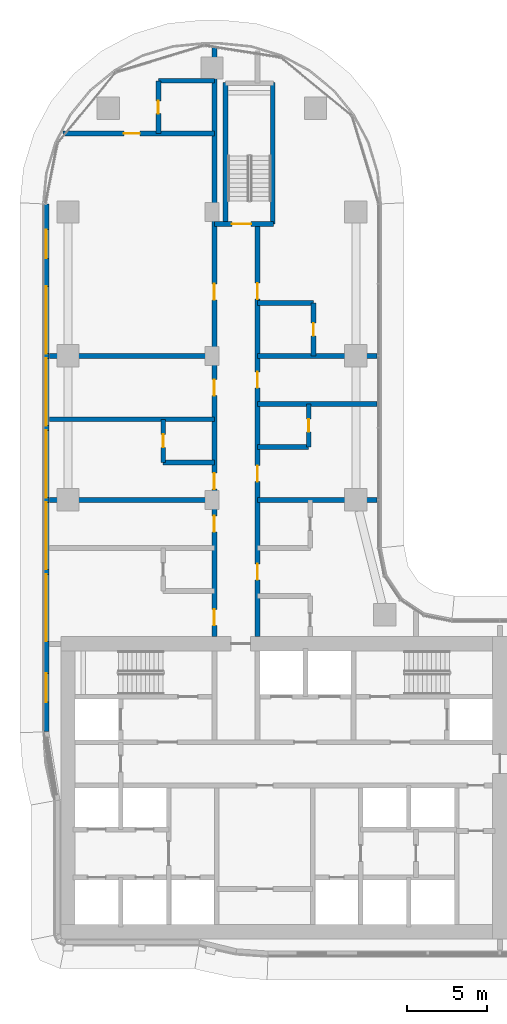
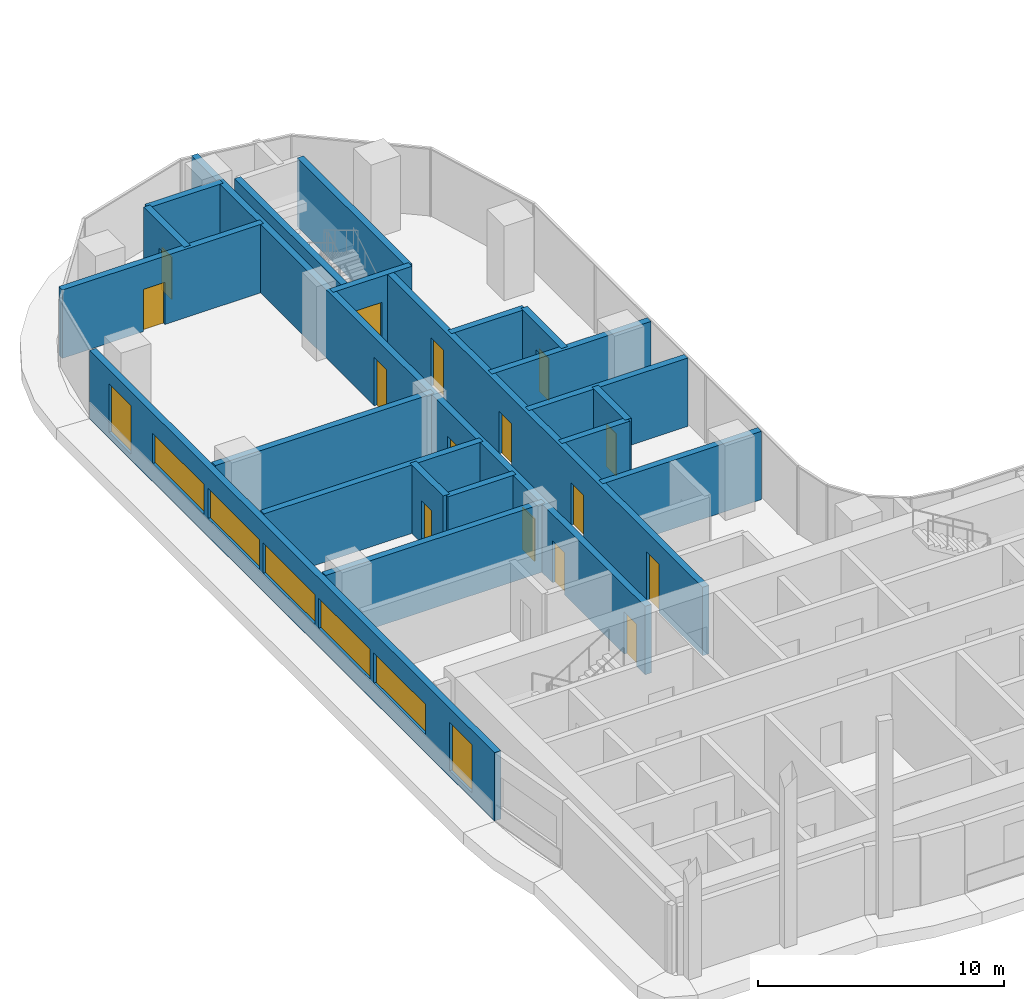
# One storey, part 20 of 36: 21 walls, 15 doors, 7 windows, 22 openings.
"""IFC4 building model written with IfcOpenShell, lengths in metres."""

from ifc_helpers import new_model, si_unit, direction, frame, frame_2d, origin, place, context, subcontext, project, spatial, rectangle, extrude, material, layer, layer_set, type_object, element, fill, save


model = new_model("IFC4")

# Units and contexts
model_context = context("Model", 3, precision=1e-05, world=origin(), true_north=direction((0.0, 1.0)))
body_context = subcontext(model_context, "Body", "Model", "MODEL_VIEW")
ifc_project = project(units=[si_unit("LENGTHUNIT", "METRE"), si_unit("AREAUNIT", "SQUARE_METRE"), si_unit("VOLUMEUNIT", "CUBIC_METRE"), si_unit("PLANEANGLEUNIT", "RADIAN"), si_unit("MASSUNIT", "GRAM", prefix="KILO")], contexts=[model_context])

# Site, building, storey
site_placement = place(None, origin())
site = spatial("IfcSite", under=ifc_project, at=site_placement, CompositionType="ELEMENT")
building_placement = place(site_placement, origin())
building = spatial("IfcBuilding", under=site, at=building_placement, Name="Ogive Portal Towers", CompositionType="ELEMENT")
storey_placement = place(building_placement, frame((0.0, 0.0, 70.5)))
storey = spatial("IfcBuildingStorey", under=building, at=storey_placement, Name="L16", CompositionType="ELEMENT", Elevation=70.5)

# Wall, openings, windows
ifc_material_1 = material(Name="Limestone cladding on lightweight block wall", Category="masonry")
ifc_layer_1 = layer(ifc_material_1, 0.300048828125)
ifc_layer_set_1 = layer_set([ifc_layer_1], Name="EXTERNAL WALL 300 STONE")
wall_type_1 = type_object("IfcWallType", Name="EXTERNAL WALL 300 STONE", PredefinedType="SOLIDWALL", material=ifc_layer_set_1)
wall_1_placement = place(storey_placement, frame((30.14990234375, 66.9921875, 0.0), z_axis=(0.0, 0.0, 1.0), x_axis=(0.0, -1.0, 0.0)))
wall_1 = element("IfcWall", 1, at=wall_1_placement, inside=storey, type_object=wall_type_1, Name="A:L16:f24:r0:wall", PredefinedType="SOLIDWALL", context=body_context, shape_type="SweptSolid", body=[
    extrude(rectangle(XDim=32.968017578125, YDim=0.300048828125, at=frame_2d((16.48388671875, 0.0))), origin(), (0.0, 0.0, 1.0), 3.39990234375),
])
opening_1_placement = place(wall_1_placement, frame((1.595947265625, 0.0, 0.300048828125)))
opening_1 = element("IfcOpeningElement", 2, at=opening_1_placement, cuts=wall_1, Name="Opening WN10", PredefinedType="OPENING", context=body_context, shape_type="SweptSolid", body=[
    extrude(rectangle(XDim=1.800048828125, YDim=2.39990234375, at=frame_2d((0.89990234375, 1.199951171875))), frame((0.0, 0.16015625, 0.0), z_axis=(0.0, -1.0, 0.0), x_axis=(1.0, 0.0, 0.0)), (0.0, 0.0, 1.0), 0.320068359375),
])
opening_2_placement = place(wall_1_placement, frame((5.14208984375, 0.0, 0.89990234375)))
opening_2 = element("IfcOpeningElement", 3, at=opening_2_placement, cuts=wall_1, Name="Opening WN11", PredefinedType="OPENING", context=body_context, shape_type="SweptSolid", body=[
    extrude(rectangle(XDim=4.199951171875, YDim=1.5, at=frame_2d((2.10009765625, 0.75))), frame((0.0, 0.16015625, 0.0), z_axis=(0.0, -1.0, 0.0), x_axis=(1.0, 0.0, 0.0)), (0.0, 0.0, 1.0), 0.320068359375),
])
opening_3_placement = place(wall_1_placement, frame((9.64208984375, 0.0, 0.89990234375)))
opening_3 = element("IfcOpeningElement", 4, at=opening_3_placement, cuts=wall_1, Name="Opening WN11", PredefinedType="OPENING", context=body_context, shape_type="SweptSolid", body=[
    extrude(rectangle(XDim=4.199951171875, YDim=1.5, at=frame_2d((2.10009765625, 0.75))), frame((0.0, 0.16015625, 0.0), z_axis=(0.0, -1.0, 0.0), x_axis=(1.0, 0.0, 0.0)), (0.0, 0.0, 1.0), 0.320068359375),
])
opening_4_placement = place(wall_1_placement, frame((14.14208984375, 0.0, 0.89990234375)))
opening_4 = element("IfcOpeningElement", 5, at=opening_4_placement, cuts=wall_1, Name="Opening WN11", PredefinedType="OPENING", context=body_context, shape_type="SweptSolid", body=[
    extrude(rectangle(XDim=4.199951171875, YDim=1.5, at=frame_2d((2.10009765625, 0.75))), frame((0.0, 0.16015625, 0.0), z_axis=(0.0, -1.0, 0.0), x_axis=(1.0, 0.0, 0.0)), (0.0, 0.0, 1.0), 0.320068359375),
])
opening_5_placement = place(wall_1_placement, frame((18.64208984375, 0.0, 0.89990234375)))
opening_5 = element("IfcOpeningElement", 6, at=opening_5_placement, cuts=wall_1, Name="Opening WN11", PredefinedType="OPENING", context=body_context, shape_type="SweptSolid", body=[
    extrude(rectangle(XDim=4.199951171875, YDim=1.5, at=frame_2d((2.10009765625, 0.75))), frame((0.0, 0.16015625, 0.0), z_axis=(0.0, -1.0, 0.0), x_axis=(1.0, 0.0, 0.0)), (0.0, 0.0, 1.0), 0.320068359375),
])
opening_6_placement = place(wall_1_placement, frame((23.14208984375, 0.0, 0.89990234375)))
opening_6 = element("IfcOpeningElement", 7, at=opening_6_placement, cuts=wall_1, Name="Opening WN11", PredefinedType="OPENING", context=body_context, shape_type="SweptSolid", body=[
    extrude(rectangle(XDim=4.199951171875, YDim=1.5, at=frame_2d((2.10009765625, 0.75))), frame((0.0, 0.16015625, 0.0), z_axis=(0.0, -1.0, 0.0), x_axis=(1.0, 0.0, 0.0)), (0.0, 0.0, 1.0), 0.320068359375),
])
opening_7_placement = place(wall_1_placement, frame((29.330078125, 0.0, 0.300048828125)))
opening_7 = element("IfcOpeningElement", 8, at=opening_7_placement, cuts=wall_1, Name="Opening WN10", PredefinedType="OPENING", context=body_context, shape_type="SweptSolid", body=[
    extrude(rectangle(XDim=1.800048828125, YDim=2.39990234375, at=frame_2d((0.89990234375, 1.199951171875))), frame((0.0, 0.16015625, 0.0), z_axis=(0.0, -1.0, 0.0), x_axis=(1.0, 0.0, 0.0)), (0.0, 0.0, 1.0), 0.320068359375),
])
ifc_material_2 = material(Name="Glass, clear low-iron insulated glazing", Category="glass")
window_type_1 = type_object("IfcWindowType", Name="WINDOW RIBBON 4200x1500", PartitioningType="TRIPLE_PANEL_VERTICAL", PredefinedType="WINDOW", material=ifc_material_2)
window_1_placement = place(opening_2_placement, origin())
window_1 = element("IfcWindow", 9, at=window_1_placement, inside=storey, type_object=window_type_1, Name="A:L16:f24:r0:w1", OverallHeight=1.5, OverallWidth=4.199951171875, PartitioningType="SINGLE_PANEL", PredefinedType="WINDOW", context=body_context, shape_type="SweptSolid", body=[
    extrude(rectangle(XDim=4.199951171875, YDim=1.5, at=frame_2d((2.10009765625, 0.75))), frame((0.0, 0.030029296875, 0.0), z_axis=(0.0, -1.0, 0.0), x_axis=(1.0, 0.0, 0.0)), (0.0, 0.0, 1.0), 0.06005859375),
])
fill(opening_2, window_1)
window_2_placement = place(opening_3_placement, origin())
window_2 = element("IfcWindow", 10, at=window_2_placement, inside=storey, type_object=window_type_1, Name="A:L16:f24:r0:w2", OverallHeight=1.5, OverallWidth=4.199951171875, PartitioningType="SINGLE_PANEL", PredefinedType="WINDOW", context=body_context, shape_type="SweptSolid", body=[
    extrude(rectangle(XDim=4.199951171875, YDim=1.5, at=frame_2d((2.10009765625, 0.75))), frame((0.0, 0.030029296875, 0.0), z_axis=(0.0, -1.0, 0.0), x_axis=(1.0, 0.0, 0.0)), (0.0, 0.0, 1.0), 0.06005859375),
])
fill(opening_3, window_2)
window_3_placement = place(opening_4_placement, origin())
window_3 = element("IfcWindow", 11, at=window_3_placement, inside=storey, type_object=window_type_1, Name="A:L16:f24:r0:w3", OverallHeight=1.5, OverallWidth=4.199951171875, PartitioningType="SINGLE_PANEL", PredefinedType="WINDOW", context=body_context, shape_type="SweptSolid", body=[
    extrude(rectangle(XDim=4.199951171875, YDim=1.5, at=frame_2d((2.10009765625, 0.75))), frame((0.0, 0.030029296875, 0.0), z_axis=(0.0, -1.0, 0.0), x_axis=(1.0, 0.0, 0.0)), (0.0, 0.0, 1.0), 0.06005859375),
])
fill(opening_4, window_3)
window_4_placement = place(opening_5_placement, origin())
window_4 = element("IfcWindow", 12, at=window_4_placement, inside=storey, type_object=window_type_1, Name="A:L16:f24:r0:w4", OverallHeight=1.5, OverallWidth=4.199951171875, PartitioningType="SINGLE_PANEL", PredefinedType="WINDOW", context=body_context, shape_type="SweptSolid", body=[
    extrude(rectangle(XDim=4.199951171875, YDim=1.5, at=frame_2d((2.10009765625, 0.75))), frame((0.0, 0.030029296875, 0.0), z_axis=(0.0, -1.0, 0.0), x_axis=(1.0, 0.0, 0.0)), (0.0, 0.0, 1.0), 0.06005859375),
])
fill(opening_5, window_4)
window_5_placement = place(opening_6_placement, origin())
window_5 = element("IfcWindow", 13, at=window_5_placement, inside=storey, type_object=window_type_1, Name="A:L16:f24:r0:w5", OverallHeight=1.5, OverallWidth=4.199951171875, PartitioningType="SINGLE_PANEL", PredefinedType="WINDOW", context=body_context, shape_type="SweptSolid", body=[
    extrude(rectangle(XDim=4.199951171875, YDim=1.5, at=frame_2d((2.10009765625, 0.75))), frame((0.0, 0.030029296875, 0.0), z_axis=(0.0, -1.0, 0.0), x_axis=(1.0, 0.0, 0.0)), (0.0, 0.0, 1.0), 0.06005859375),
])
fill(opening_6, window_5)
window_type_2 = type_object("IfcWindowType", Name="WINDOW SUITE CORNER 1800x2400", PartitioningType="DOUBLE_PANEL_VERTICAL", PredefinedType="WINDOW", material=ifc_material_2)
window_6_placement = place(opening_1_placement, origin())
window_6 = element("IfcWindow", 14, at=window_6_placement, inside=storey, type_object=window_type_2, Name="A:L16:f24:r0:w0", OverallHeight=2.39990234375, OverallWidth=1.800048828125, PartitioningType="SINGLE_PANEL", PredefinedType="WINDOW", context=body_context, shape_type="SweptSolid", body=[
    extrude(rectangle(XDim=1.800048828125, YDim=2.39990234375, at=frame_2d((0.89990234375, 1.199951171875))), frame((0.0, 0.030029296875, 0.0), z_axis=(0.0, -1.0, 0.0), x_axis=(1.0, 0.0, 0.0)), (0.0, 0.0, 1.0), 0.06005859375),
])
fill(opening_1, window_6)
window_7_placement = place(opening_7_placement, origin())
window_7 = element("IfcWindow", 15, at=window_7_placement, inside=storey, type_object=window_type_2, Name="A:L16:f24:r0:w6", OverallHeight=2.39990234375, OverallWidth=1.800048828125, PartitioningType="SINGLE_PANEL", PredefinedType="WINDOW", context=body_context, shape_type="SweptSolid", body=[
    extrude(rectangle(XDim=1.800048828125, YDim=2.39990234375, at=frame_2d((0.89990234375, 1.199951171875))), frame((0.0, 0.030029296875, 0.0), z_axis=(0.0, -1.0, 0.0), x_axis=(1.0, 0.0, 0.0)), (0.0, 0.0, 1.0), 0.06005859375),
])
fill(opening_7, window_7)

# Wall, opening, door
ifc_material_3 = material(Name="Concrete C50/60", Category="concrete")
ifc_layer_2 = layer(ifc_material_3, 0.300048828125)
ifc_layer_set_2 = layer_set([ifc_layer_2], Name="STAIR WALL 300 C50")
wall_type_2 = type_object("IfcWallType", Name="STAIR WALL 300 C50", PredefinedType="SHEAR", material=ifc_layer_set_2)
wall_2_placement = place(storey_placement, frame((40.64990234375, 65.75, 0.0), z_axis=(0.0, 0.0, 1.0), x_axis=(1.0, 0.0, 0.0)))
wall_2 = element("IfcWall", 16, at=wall_2_placement, inside=storey, type_object=wall_type_2, Name="Stair wall ST-A3 L16", PredefinedType="SHEAR", context=body_context, shape_type="SweptSolid", body=[
    extrude(rectangle(XDim=3.7001953125, YDim=0.300048828125, at=frame_2d((1.85009765625, 0.0))), origin(), (0.0, 0.0, 1.0), 3.39990234375),
])
opening_8_placement = place(wall_2_placement, frame((1.10009765625, 0.0, 0.0)))
opening_8 = element("IfcOpeningElement", 17, at=opening_8_placement, cuts=wall_2, Name="Opening D05-065", PredefinedType="OPENING", context=body_context, shape_type="SweptSolid", body=[
    extrude(rectangle(XDim=1.199951171875, YDim=2.10009765625, at=frame_2d((0.60009765625, 1.050048828125))), frame((0.0, 0.16015625, 0.0), z_axis=(0.0, -1.0, 0.0), x_axis=(1.0, 0.0, 0.0)), (0.0, 0.0, 1.0), 0.320068359375),
])
ifc_material_4 = material(Name="Steel fire door", Category="steel")
door_type_1 = type_object("IfcDoorType", Name="DT-STAIR-1200x2100-FD90S", OperationType="SINGLE_SWING_LEFT", PredefinedType="DOOR", material=ifc_material_4)
door_1_placement = place(opening_8_placement, origin())
door_1 = element("IfcDoor", 18, at=door_1_placement, inside=storey, type_object=door_type_1, Name="Door D05-065", OperationType="SINGLE_SWING_RIGHT", OverallHeight=2.10009765625, OverallWidth=1.199951171875, PredefinedType="DOOR", context=body_context, shape_type="SweptSolid", body=[
    extrude(rectangle(XDim=1.199951171875, YDim=2.10009765625, at=frame_2d((0.60009765625, 1.050048828125))), frame((0.0, 0.02490234375, 0.0), z_axis=(0.0, -1.0, 0.0), x_axis=(1.0, 0.0, 0.0)), (0.0, 0.0, 1.0), 0.050048828125),
])
fill(opening_8, door_1)

# Walls
for number, where, z_axis, x_axis, name in (
    (19, (41.35009765625, 65.75, 0.0), (0.0, 0.0, 1.0), (0.0, 1.0, 0.0), "Stair wall ST-A3 L16"),
    (20, (44.300048828125, 65.75, 0.0), (0.0, 0.0, 1.0), (0.0, 1.0, 0.0), "Stair wall ST-A3 L16"),
):
    element("IfcWall", number, at=place(storey_placement, frame(where, z_axis=z_axis, x_axis=x_axis)), inside=storey, type_object=wall_type_2, Name=name, PredefinedType="SHEAR", context=body_context, shape_type="SweptSolid", body=[
        extrude(rectangle(XDim=8.85009765625, YDim=0.300048828125, at=frame_2d((4.425048828125, 0.0))), origin(), (0.0, 0.0, 1.0), 3.39990234375),
    ])
ifc_material_5 = material(Name="Gypsum board partition on steel studs", Category="steel")
ifc_layer_3 = layer(ifc_material_5, 0.300048828125)
ifc_layer_set_3 = layer_set([ifc_layer_3], Name="WT-PART-300-EI 60")
wall_type_3 = type_object("IfcWallType", Name="WT-PART-300-EI 60", PredefinedType="PARTITIONING", material=ifc_layer_set_3)
wall_3_placement = place(storey_placement, frame((30.35009765625, 48.5, 0.0), z_axis=(0.0, 0.0, 1.0), x_axis=(1.0, 0.0, 0.0)))
element("IfcWall", 21, at=wall_3_placement, inside=storey, type_object=wall_type_3, Name="Wall L16:w017", PredefinedType="PARTITIONING", context=body_context, shape_type="SweptSolid", body=[
    extrude(rectangle(XDim=10.2998046875, YDim=0.300048828125, at=frame_2d((5.14990234375, 0.0))), origin(), (0.0, 0.0, 1.0), 3.39990234375),
])
wall_4_placement = place(storey_placement, frame((43.35009765625, 48.5, 0.0), z_axis=(0.0, 0.0, 1.0), x_axis=(1.0, 0.0, 0.0)))
element("IfcWall", 22, at=wall_4_placement, inside=storey, type_object=wall_type_3, Name="Wall L16:w018", PredefinedType="PARTITIONING", context=body_context, shape_type="SweptSolid", body=[
    extrude(rectangle(XDim=7.47998046875, YDim=0.300048828125, at=frame_2d((3.739990234375, 0.0))), origin(), (0.0, 0.0, 1.0), 3.39990234375),
])
for number, where, z_axis, x_axis, name in (
    (23, (37.449951171875, 50.840087890625, 0.0), (0.0, 0.0, 1.0), (1.0, 0.0, 0.0), "Wall L16:w019"),
    (24, (43.35009765625, 51.800048828125, 0.0), (0.0, 0.0, 1.0), (1.0, 0.0, 0.0), "Wall L16:w020"),
):
    element("IfcWall", number, at=place(storey_placement, frame(where, z_axis=z_axis, x_axis=x_axis)), inside=storey, type_object=wall_type_3, Name=name, PredefinedType="PARTITIONING", context=body_context, shape_type="SweptSolid", body=[
        extrude(rectangle(XDim=3.199951171875, YDim=0.300048828125, at=frame_2d((1.60009765625, 0.0))), origin(), (0.0, 0.0, 1.0), 3.39990234375),
    ])
wall_5_placement = place(storey_placement, frame((30.35009765625, 53.5400390625, 0.0), z_axis=(0.0, 0.0, 1.0), x_axis=(1.0, 0.0, 0.0)))
element("IfcWall", 25, at=wall_5_placement, inside=storey, type_object=wall_type_3, Name="Wall L16:w021", PredefinedType="PARTITIONING", context=body_context, shape_type="SweptSolid", body=[
    extrude(rectangle(XDim=10.2998046875, YDim=0.300048828125, at=frame_2d((5.14990234375, 0.0))), origin(), (0.0, 0.0, 1.0), 3.39990234375),
])
wall_6_placement = place(storey_placement, frame((43.35009765625, 54.5, 0.0), z_axis=(0.0, 0.0, 1.0), x_axis=(1.0, 0.0, 0.0)))
element("IfcWall", 26, at=wall_6_placement, inside=storey, type_object=wall_type_3, Name="Wall L16:w022", PredefinedType="PARTITIONING", context=body_context, shape_type="SweptSolid", body=[
    extrude(rectangle(XDim=7.47998046875, YDim=0.300048828125, at=frame_2d((3.739990234375, 0.0))), origin(), (0.0, 0.0, 1.0), 3.39990234375),
])
wall_7_placement = place(storey_placement, frame((30.35009765625, 57.5, 0.0), z_axis=(0.0, 0.0, 1.0), x_axis=(1.0, 0.0, 0.0)))
element("IfcWall", 27, at=wall_7_placement, inside=storey, type_object=wall_type_3, Name="Wall L16:w023", PredefinedType="PARTITIONING", context=body_context, shape_type="SweptSolid", body=[
    extrude(rectangle(XDim=10.2998046875, YDim=0.300048828125, at=frame_2d((5.14990234375, 0.0))), origin(), (0.0, 0.0, 1.0), 3.39990234375),
])
wall_8_placement = place(storey_placement, frame((43.35009765625, 57.5, 0.0), z_axis=(0.0, 0.0, 1.0), x_axis=(1.0, 0.0, 0.0)))
element("IfcWall", 28, at=wall_8_placement, inside=storey, type_object=wall_type_3, Name="Wall L16:w024", PredefinedType="PARTITIONING", context=body_context, shape_type="SweptSolid", body=[
    extrude(rectangle(XDim=7.47998046875, YDim=0.300048828125, at=frame_2d((3.739990234375, 0.0))), origin(), (0.0, 0.0, 1.0), 3.39990234375),
])
wall_9_placement = place(storey_placement, frame((43.35009765625, 60.800048828125, 0.0), z_axis=(0.0, 0.0, 1.0), x_axis=(1.0, 0.0, 0.0)))
element("IfcWall", 29, at=wall_9_placement, inside=storey, type_object=wall_type_3, Name="Wall L16:w025", PredefinedType="PARTITIONING", context=body_context, shape_type="SweptSolid", body=[
    extrude(rectangle(XDim=3.5, YDim=0.300048828125, at=frame_2d((1.75, 0.0))), origin(), (0.0, 0.0, 1.0), 3.39990234375),
])

# Wall, opening, door
wall_10_placement = place(storey_placement, frame((31.19091796875, 71.39990234375, 0.0), z_axis=(0.0, 0.0, 1.0), x_axis=(1.0, 0.0, 0.0)))
wall_10 = element("IfcWall", 30, at=wall_10_placement, inside=storey, type_object=wall_type_3, Name="Wall L16:w027", PredefinedType="PARTITIONING", context=body_context, shape_type="SweptSolid", body=[
    extrude(rectangle(XDim=9.458984375, YDim=0.300048828125, at=frame_2d((4.7294921875, 0.0))), origin(), (0.0, 0.0, 1.0), 3.39990234375),
])
opening_9_placement = place(wall_10_placement, frame((3.80908203125, 0.0, 0.0)))
opening_9 = element("IfcOpeningElement", 31, at=opening_9_placement, cuts=wall_10, Name="Opening D05-059", PredefinedType="OPENING", context=body_context, shape_type="SweptSolid", body=[
    extrude(rectangle(XDim=1.0, YDim=2.10009765625, at=frame_2d((0.5, 1.050048828125))), frame((0.0, 0.16015625, 0.0), z_axis=(0.0, -1.0, 0.0), x_axis=(1.0, 0.0, 0.0)), (0.0, 0.0, 1.0), 0.320068359375),
])
door_type_2 = type_object("IfcDoorType", Name="DT-ENTRY-1000x2100-FD60S", OperationType="SINGLE_SWING_LEFT", PredefinedType="DOOR", material=ifc_material_4)
door_2_placement = place(opening_9_placement, origin())
door_2 = element("IfcDoor", 32, at=door_2_placement, inside=storey, type_object=door_type_2, Name="Door D05-059", OperationType="SINGLE_SWING_LEFT", OverallHeight=2.10009765625, OverallWidth=1.0, PredefinedType="DOOR", context=body_context, shape_type="SweptSolid", body=[
    extrude(rectangle(XDim=1.0, YDim=2.10009765625, at=frame_2d((0.5, 1.050048828125))), frame((0.0, 0.02490234375, 0.0), z_axis=(0.0, -1.0, 0.0), x_axis=(1.0, 0.0, 0.0)), (0.0, 0.0, 1.0), 0.050048828125),
])
fill(opening_9, door_2)

# Wall
wall_11_placement = place(storey_placement, frame((37.14990234375, 74.699951171875, 0.0), z_axis=(0.0, 0.0, 1.0), x_axis=(1.0, 0.0, 0.0)))
element("IfcWall", 33, at=wall_11_placement, inside=storey, type_object=wall_type_3, Name="Wall L16:w029", PredefinedType="PARTITIONING", context=body_context, shape_type="SweptSolid", body=[
    extrude(rectangle(XDim=3.5, YDim=0.300048828125, at=frame_2d((1.75, 0.0))), origin(), (0.0, 0.0, 1.0), 3.39990234375),
])

# Wall, opening, door
wall_12_placement = place(storey_placement, frame((37.14990234375, 71.39990234375, 0.0), z_axis=(0.0, 0.0, 1.0), x_axis=(0.0, 1.0, 0.0)))
wall_12 = element("IfcWall", 34, at=wall_12_placement, inside=storey, type_object=wall_type_3, Name="Wall L16:w030", PredefinedType="PARTITIONING", context=body_context, shape_type="SweptSolid", body=[
    extrude(rectangle(XDim=3.300048828125, YDim=0.300048828125, at=frame_2d((1.64990234375, 0.0))), origin(), (0.0, 0.0, 1.0), 3.39990234375),
])
opening_10_placement = place(wall_12_placement, frame((1.25, 0.0, 0.0)))
opening_10 = element("IfcOpeningElement", 35, at=opening_10_placement, cuts=wall_12, Name="Opening D05-060", PredefinedType="OPENING", context=body_context, shape_type="SweptSolid", body=[
    extrude(rectangle(XDim=0.800048828125, YDim=2.10009765625, at=frame_2d((0.39990234375, 1.050048828125))), frame((0.0, 0.16015625, 0.0), z_axis=(0.0, -1.0, 0.0), x_axis=(1.0, 0.0, 0.0)), (0.0, 0.0, 1.0), 0.320068359375),
])
door_type_3 = type_object("IfcDoorType", Name="DT-BATH-800x2100-FD60S", OperationType="SINGLE_SWING_LEFT", PredefinedType="DOOR", material=ifc_material_4)
door_3_placement = place(opening_10_placement, origin())
door_3 = element("IfcDoor", 36, at=door_3_placement, inside=storey, type_object=door_type_3, Name="Door D05-060", OperationType="SINGLE_SWING_LEFT", OverallHeight=2.10009765625, OverallWidth=0.800048828125, PredefinedType="DOOR", context=body_context, shape_type="SweptSolid", body=[
    extrude(rectangle(XDim=0.800048828125, YDim=2.10009765625, at=frame_2d((0.39990234375, 1.050048828125))), frame((0.0, 0.02490234375, 0.0), z_axis=(0.0, -1.0, 0.0), x_axis=(1.0, 0.0, 0.0)), (0.0, 0.0, 1.0), 0.050048828125),
])
fill(opening_10, door_3)

wall_13_placement = place(storey_placement, frame((37.449951171875, 50.840087890625, 0.0), z_axis=(0.0, 0.0, 1.0), x_axis=(0.0, 1.0, 0.0)))
wall_13 = element("IfcWall", 37, at=wall_13_placement, inside=storey, type_object=wall_type_3, Name="Wall L16:w032", PredefinedType="PARTITIONING", context=body_context, shape_type="SweptSolid", body=[
    extrude(rectangle(XDim=2.699951171875, YDim=0.300048828125, at=frame_2d((1.35009765625, 0.0))), origin(), (0.0, 0.0, 1.0), 3.39990234375),
])
opening_11_placement = place(wall_13_placement, frame((0.949951171875, 0.0, 0.0)))
opening_11 = element("IfcOpeningElement", 38, at=opening_11_placement, cuts=wall_13, Name="Opening D05-053", PredefinedType="OPENING", context=body_context, shape_type="SweptSolid", body=[
    extrude(rectangle(XDim=0.800048828125, YDim=2.10009765625, at=frame_2d((0.39990234375, 1.050048828125))), frame((0.0, 0.16015625, 0.0), z_axis=(0.0, -1.0, 0.0), x_axis=(1.0, 0.0, 0.0)), (0.0, 0.0, 1.0), 0.320068359375),
])
door_4_placement = place(opening_11_placement, origin())
door_4 = element("IfcDoor", 39, at=door_4_placement, inside=storey, type_object=door_type_3, Name="Door D05-053", OperationType="SINGLE_SWING_LEFT", OverallHeight=2.10009765625, OverallWidth=0.800048828125, PredefinedType="DOOR", context=body_context, shape_type="SweptSolid", body=[
    extrude(rectangle(XDim=0.800048828125, YDim=2.10009765625, at=frame_2d((0.39990234375, 1.050048828125))), frame((0.0, 0.02490234375, 0.0), z_axis=(0.0, -1.0, 0.0), x_axis=(1.0, 0.0, 0.0)), (0.0, 0.0, 1.0), 0.050048828125),
])
fill(opening_11, door_4)

# Wall, openings, doors
wall_14_placement = place(storey_placement, frame((40.64990234375, 39.949951171875, 0.0), z_axis=(0.0, 0.0, 1.0), x_axis=(0.0, 1.0, 0.0)))
wall_14 = element("IfcWall", 40, at=wall_14_placement, inside=storey, type_object=wall_type_3, Name="Wall L16:w033", PredefinedType="PARTITIONING", context=body_context, shape_type="SweptSolid", body=[
    extrude(rectangle(XDim=36.93994140625, YDim=0.300048828125, at=frame_2d((18.469970703125, 0.0))), origin(), (0.0, 0.0, 1.0), 3.39990234375),
])
opening_12_placement = place(wall_14_placement, frame((0.699951171875, 0.0, 0.0)))
opening_12 = element("IfcOpeningElement", 41, at=opening_12_placement, cuts=wall_14, Name="Opening D05-048", PredefinedType="OPENING", context=body_context, shape_type="SweptSolid", body=[
    extrude(rectangle(XDim=1.0, YDim=2.10009765625, at=frame_2d((0.5, 1.050048828125))), frame((0.0, 0.16015625, 0.0), z_axis=(0.0, -1.0, 0.0), x_axis=(1.0, 0.0, 0.0)), (0.0, 0.0, 1.0), 0.320068359375),
])
opening_13_placement = place(wall_14_placement, frame((6.550048828125, 0.0, 0.0)))
opening_13 = element("IfcOpeningElement", 42, at=opening_13_placement, cuts=wall_14, Name="Opening D05-049", PredefinedType="OPENING", context=body_context, shape_type="SweptSolid", body=[
    extrude(rectangle(XDim=1.0, YDim=2.10009765625, at=frame_2d((0.5, 1.050048828125))), frame((0.0, 0.16015625, 0.0), z_axis=(0.0, -1.0, 0.0), x_axis=(1.0, 0.0, 0.0)), (0.0, 0.0, 1.0), 0.320068359375),
])
opening_14_placement = place(wall_14_placement, frame((9.219970703125, 0.0, 0.0)))
opening_14 = element("IfcOpeningElement", 43, at=opening_14_placement, cuts=wall_14, Name="Opening D05-054", PredefinedType="OPENING", context=body_context, shape_type="SweptSolid", body=[
    extrude(rectangle(XDim=1.0, YDim=2.10009765625, at=frame_2d((0.5, 1.050048828125))), frame((0.0, 0.16015625, 0.0), z_axis=(0.0, -1.0, 0.0), x_axis=(1.0, 0.0, 0.0)), (0.0, 0.0, 1.0), 0.320068359375),
])
opening_15_placement = place(wall_14_placement, frame((15.070068359375, 0.0, 0.0)))
opening_15 = element("IfcOpeningElement", 44, at=opening_15_placement, cuts=wall_14, Name="Opening D05-055", PredefinedType="OPENING", context=body_context, shape_type="SweptSolid", body=[
    extrude(rectangle(XDim=1.0, YDim=2.10009765625, at=frame_2d((0.5, 1.050048828125))), frame((0.0, 0.16015625, 0.0), z_axis=(0.0, -1.0, 0.0), x_axis=(1.0, 0.0, 0.0)), (0.0, 0.0, 1.0), 0.320068359375),
])
opening_16_placement = place(wall_14_placement, frame((21.050048828125, 0.0, 0.0)))
opening_16 = element("IfcOpeningElement", 45, at=opening_16_placement, cuts=wall_14, Name="Opening D05-058", PredefinedType="OPENING", context=body_context, shape_type="SweptSolid", body=[
    extrude(rectangle(XDim=1.0, YDim=2.39990234375, at=frame_2d((0.5, 1.199951171875))), frame((0.0, 0.16015625, 0.0), z_axis=(0.0, -1.0, 0.0), x_axis=(1.0, 0.0, 0.0)), (0.0, 0.0, 1.0), 0.320068359375),
])
door_5_placement = place(opening_12_placement, origin())
door_5 = element("IfcDoor", 46, at=door_5_placement, inside=storey, type_object=door_type_2, Name="Door D05-048", OperationType="SINGLE_SWING_LEFT", OverallHeight=2.10009765625, OverallWidth=1.0, PredefinedType="DOOR", context=body_context, shape_type="SweptSolid", body=[
    extrude(rectangle(XDim=1.0, YDim=2.10009765625, at=frame_2d((0.5, 1.050048828125))), frame((0.0, 0.02490234375, 0.0), z_axis=(0.0, -1.0, 0.0), x_axis=(1.0, 0.0, 0.0)), (0.0, 0.0, 1.0), 0.050048828125),
])
fill(opening_12, door_5)
door_6_placement = place(opening_13_placement, origin())
door_6 = element("IfcDoor", 47, at=door_6_placement, inside=storey, type_object=door_type_2, Name="Door D05-049", OperationType="SINGLE_SWING_RIGHT", OverallHeight=2.10009765625, OverallWidth=1.0, PredefinedType="DOOR", context=body_context, shape_type="SweptSolid", body=[
    extrude(rectangle(XDim=1.0, YDim=2.10009765625, at=frame_2d((0.5, 1.050048828125))), frame((0.0, 0.02490234375, 0.0), z_axis=(0.0, -1.0, 0.0), x_axis=(1.0, 0.0, 0.0)), (0.0, 0.0, 1.0), 0.050048828125),
])
fill(opening_13, door_6)
door_7_placement = place(opening_14_placement, origin())
door_7 = element("IfcDoor", 48, at=door_7_placement, inside=storey, type_object=door_type_2, Name="Door D05-054", OperationType="SINGLE_SWING_LEFT", OverallHeight=2.10009765625, OverallWidth=1.0, PredefinedType="DOOR", context=body_context, shape_type="SweptSolid", body=[
    extrude(rectangle(XDim=1.0, YDim=2.10009765625, at=frame_2d((0.5, 1.050048828125))), frame((0.0, 0.02490234375, 0.0), z_axis=(0.0, -1.0, 0.0), x_axis=(1.0, 0.0, 0.0)), (0.0, 0.0, 1.0), 0.050048828125),
])
fill(opening_14, door_7)
door_8_placement = place(opening_15_placement, origin())
door_8 = element("IfcDoor", 49, at=door_8_placement, inside=storey, type_object=door_type_2, Name="Door D05-055", OperationType="SINGLE_SWING_RIGHT", OverallHeight=2.10009765625, OverallWidth=1.0, PredefinedType="DOOR", context=body_context, shape_type="SweptSolid", body=[
    extrude(rectangle(XDim=1.0, YDim=2.10009765625, at=frame_2d((0.5, 1.050048828125))), frame((0.0, 0.02490234375, 0.0), z_axis=(0.0, -1.0, 0.0), x_axis=(1.0, 0.0, 0.0)), (0.0, 0.0, 1.0), 0.050048828125),
])
fill(opening_15, door_8)
door_type_4 = type_object("IfcDoorType", Name="DT-ENTRY-1000x2400-FD60S", OperationType="SINGLE_SWING_LEFT", PredefinedType="DOOR", material=ifc_material_4)
door_9_placement = place(opening_16_placement, origin())
door_9 = element("IfcDoor", 50, at=door_9_placement, inside=storey, type_object=door_type_4, Name="Door D05-058", OperationType="SINGLE_SWING_RIGHT", OverallHeight=2.39990234375, OverallWidth=1.0, PredefinedType="DOOR", context=body_context, shape_type="SweptSolid", body=[
    extrude(rectangle(XDim=1.0, YDim=2.39990234375, at=frame_2d((0.5, 1.199951171875))), frame((0.0, 0.02490234375, 0.0), z_axis=(0.0, -1.0, 0.0), x_axis=(1.0, 0.0, 0.0)), (0.0, 0.0, 1.0), 0.050048828125),
])
fill(opening_16, door_9)

# Wall, opening, door
wall_15_placement = place(storey_placement, frame((46.550048828125, 51.800048828125, 0.0), z_axis=(0.0, 0.0, 1.0), x_axis=(0.0, 1.0, 0.0)))
wall_15 = element("IfcWall", 51, at=wall_15_placement, inside=storey, type_object=wall_type_3, Name="Wall L16:w038", PredefinedType="PARTITIONING", context=body_context, shape_type="SweptSolid", body=[
    extrude(rectangle(XDim=2.699951171875, YDim=0.300048828125, at=frame_2d((1.35009765625, 0.0))), origin(), (0.0, 0.0, 1.0), 3.39990234375),
])
opening_17_placement = place(wall_15_placement, frame((0.949951171875, 0.0, 0.0)))
opening_17 = element("IfcOpeningElement", 52, at=opening_17_placement, cuts=wall_15, Name="Opening D05-050", PredefinedType="OPENING", context=body_context, shape_type="SweptSolid", body=[
    extrude(rectangle(XDim=0.800048828125, YDim=2.10009765625, at=frame_2d((0.39990234375, 1.050048828125))), frame((0.0, 0.16015625, 0.0), z_axis=(0.0, -1.0, 0.0), x_axis=(1.0, 0.0, 0.0)), (0.0, 0.0, 1.0), 0.320068359375),
])
door_10_placement = place(opening_17_placement, origin())
door_10 = element("IfcDoor", 53, at=door_10_placement, inside=storey, type_object=door_type_3, Name="Door D05-050", OperationType="SINGLE_SWING_LEFT", OverallHeight=2.10009765625, OverallWidth=0.800048828125, PredefinedType="DOOR", context=body_context, shape_type="SweptSolid", body=[
    extrude(rectangle(XDim=0.800048828125, YDim=2.10009765625, at=frame_2d((0.39990234375, 1.050048828125))), frame((0.0, 0.02490234375, 0.0), z_axis=(0.0, -1.0, 0.0), x_axis=(1.0, 0.0, 0.0)), (0.0, 0.0, 1.0), 0.050048828125),
])
fill(opening_17, door_10)

wall_16_placement = place(storey_placement, frame((46.85009765625, 57.5, 0.0), z_axis=(0.0, 0.0, 1.0), x_axis=(0.0, 1.0, 0.0)))
wall_16 = element("IfcWall", 54, at=wall_16_placement, inside=storey, type_object=wall_type_3, Name="Wall L16:w041", PredefinedType="PARTITIONING", context=body_context, shape_type="SweptSolid", body=[
    extrude(rectangle(XDim=3.300048828125, YDim=0.300048828125, at=frame_2d((1.64990234375, 0.0))), origin(), (0.0, 0.0, 1.0), 3.39990234375),
])
opening_18_placement = place(wall_16_placement, frame((1.25, 0.0, 0.0)))
opening_18 = element("IfcOpeningElement", 55, at=opening_18_placement, cuts=wall_16, Name="Opening D05-056", PredefinedType="OPENING", context=body_context, shape_type="SweptSolid", body=[
    extrude(rectangle(XDim=0.800048828125, YDim=2.10009765625, at=frame_2d((0.39990234375, 1.050048828125))), frame((0.0, 0.16015625, 0.0), z_axis=(0.0, -1.0, 0.0), x_axis=(1.0, 0.0, 0.0)), (0.0, 0.0, 1.0), 0.320068359375),
])
door_11_placement = place(opening_18_placement, origin())
door_11 = element("IfcDoor", 56, at=door_11_placement, inside=storey, type_object=door_type_3, Name="Door D05-056", OperationType="SINGLE_SWING_LEFT", OverallHeight=2.10009765625, OverallWidth=0.800048828125, PredefinedType="DOOR", context=body_context, shape_type="SweptSolid", body=[
    extrude(rectangle(XDim=0.800048828125, YDim=2.10009765625, at=frame_2d((0.39990234375, 1.050048828125))), frame((0.0, 0.02490234375, 0.0), z_axis=(0.0, -1.0, 0.0), x_axis=(1.0, 0.0, 0.0)), (0.0, 0.0, 1.0), 0.050048828125),
])
fill(opening_18, door_11)

# Wall, openings, doors
ifc_material_6 = material(Name="Concrete C40/50", Category="concrete")
ifc_layer_4 = layer(ifc_material_6, 0.300048828125)
ifc_layer_set_4 = layer_set([ifc_layer_4], Name="WT-SHAFT-300")
wall_type_4 = type_object("IfcWallType", Name="WT-SHAFT-300", PredefinedType="SOLIDWALL", material=ifc_layer_set_4)
wall_17_placement = place(storey_placement, frame((43.35009765625, 39.949951171875, 0.0), z_axis=(0.0, 0.0, 1.0), x_axis=(0.0, 1.0, 0.0)))
wall_17 = element("IfcWall", 57, at=wall_17_placement, inside=storey, type_object=wall_type_4, Name="Wall L16:w035", PredefinedType="SOLIDWALL", context=body_context, shape_type="SweptSolid", body=[
    extrude(rectangle(XDim=25.85009765625, YDim=0.300048828125, at=frame_2d((12.925048828125, 0.0))), origin(), (0.0, 0.0, 1.0), 3.39990234375),
])
opening_19_placement = place(wall_17_placement, frame((3.550048828125, 0.0, 0.0)))
opening_19 = element("IfcOpeningElement", 58, at=opening_19_placement, cuts=wall_17, Name="Opening D05-046", PredefinedType="OPENING", context=body_context, shape_type="SweptSolid", body=[
    extrude(rectangle(XDim=1.0, YDim=2.39990234375, at=frame_2d((0.5, 1.199951171875))), frame((0.0, 0.16015625, 0.0), z_axis=(0.0, -1.0, 0.0), x_axis=(1.0, 0.0, 0.0)), (0.0, 0.0, 1.0), 0.320068359375),
])
opening_20_placement = place(wall_17_placement, frame((9.699951171875, 0.0, 0.0)))
opening_20 = element("IfcOpeningElement", 59, at=opening_20_placement, cuts=wall_17, Name="Opening D05-051", PredefinedType="OPENING", context=body_context, shape_type="SweptSolid", body=[
    extrude(rectangle(XDim=1.0, YDim=2.10009765625, at=frame_2d((0.5, 1.050048828125))), frame((0.0, 0.16015625, 0.0), z_axis=(0.0, -1.0, 0.0), x_axis=(1.0, 0.0, 0.0)), (0.0, 0.0, 1.0), 0.320068359375),
])
opening_21_placement = place(wall_17_placement, frame((15.550048828125, 0.0, 0.0)))
opening_21 = element("IfcOpeningElement", 60, at=opening_21_placement, cuts=wall_17, Name="Opening D05-052", PredefinedType="OPENING", context=body_context, shape_type="SweptSolid", body=[
    extrude(rectangle(XDim=1.0, YDim=2.10009765625, at=frame_2d((0.5, 1.050048828125))), frame((0.0, 0.16015625, 0.0), z_axis=(0.0, -1.0, 0.0), x_axis=(1.0, 0.0, 0.0)), (0.0, 0.0, 1.0), 0.320068359375),
])
opening_22_placement = place(wall_17_placement, frame((21.10009765625, 0.0, 0.0)))
opening_22 = element("IfcOpeningElement", 61, at=opening_22_placement, cuts=wall_17, Name="Opening D05-057", PredefinedType="OPENING", context=body_context, shape_type="SweptSolid", body=[
    extrude(rectangle(XDim=1.0, YDim=2.39990234375, at=frame_2d((0.5, 1.199951171875))), frame((0.0, 0.16015625, 0.0), z_axis=(0.0, -1.0, 0.0), x_axis=(1.0, 0.0, 0.0)), (0.0, 0.0, 1.0), 0.320068359375),
])
door_type_5 = type_object("IfcDoorType", Name="DT-ENTRY-1000x2100-FD90S", OperationType="SINGLE_SWING_LEFT", PredefinedType="DOOR", material=ifc_material_4)
door_12_placement = place(opening_20_placement, origin())
door_12 = element("IfcDoor", 62, at=door_12_placement, inside=storey, type_object=door_type_5, Name="Door D05-051", OperationType="SINGLE_SWING_LEFT", OverallHeight=2.10009765625, OverallWidth=1.0, PredefinedType="DOOR", context=body_context, shape_type="SweptSolid", body=[
    extrude(rectangle(XDim=1.0, YDim=2.10009765625, at=frame_2d((0.5, 1.050048828125))), frame((0.0, 0.02490234375, 0.0), z_axis=(0.0, -1.0, 0.0), x_axis=(1.0, 0.0, 0.0)), (0.0, 0.0, 1.0), 0.050048828125),
])
fill(opening_20, door_12)
door_13_placement = place(opening_21_placement, origin())
door_13 = element("IfcDoor", 63, at=door_13_placement, inside=storey, type_object=door_type_5, Name="Door D05-052", OperationType="SINGLE_SWING_RIGHT", OverallHeight=2.10009765625, OverallWidth=1.0, PredefinedType="DOOR", context=body_context, shape_type="SweptSolid", body=[
    extrude(rectangle(XDim=1.0, YDim=2.10009765625, at=frame_2d((0.5, 1.050048828125))), frame((0.0, 0.02490234375, 0.0), z_axis=(0.0, -1.0, 0.0), x_axis=(1.0, 0.0, 0.0)), (0.0, 0.0, 1.0), 0.050048828125),
])
fill(opening_21, door_13)
door_type_6 = type_object("IfcDoorType", Name="DT-ENTRY-1000x2400-FD90S", OperationType="SINGLE_SWING_LEFT", PredefinedType="DOOR", material=ifc_material_4)
door_14_placement = place(opening_19_placement, origin())
door_14 = element("IfcDoor", 64, at=door_14_placement, inside=storey, type_object=door_type_6, Name="Door D05-046", OperationType="SINGLE_SWING_LEFT", OverallHeight=2.39990234375, OverallWidth=1.0, PredefinedType="DOOR", context=body_context, shape_type="SweptSolid", body=[
    extrude(rectangle(XDim=1.0, YDim=2.39990234375, at=frame_2d((0.5, 1.199951171875))), frame((0.0, 0.02490234375, 0.0), z_axis=(0.0, -1.0, 0.0), x_axis=(1.0, 0.0, 0.0)), (0.0, 0.0, 1.0), 0.050048828125),
])
fill(opening_19, door_14)
door_15_placement = place(opening_22_placement, origin())
door_15 = element("IfcDoor", 65, at=door_15_placement, inside=storey, type_object=door_type_6, Name="Door D05-057", OperationType="SINGLE_SWING_LEFT", OverallHeight=2.39990234375, OverallWidth=1.0, PredefinedType="DOOR", context=body_context, shape_type="SweptSolid", body=[
    extrude(rectangle(XDim=1.0, YDim=2.39990234375, at=frame_2d((0.5, 1.199951171875))), frame((0.0, 0.02490234375, 0.0), z_axis=(0.0, -1.0, 0.0), x_axis=(1.0, 0.0, 0.0)), (0.0, 0.0, 1.0), 0.050048828125),
])
fill(opening_22, door_15)

save(model, "model.ifc")
